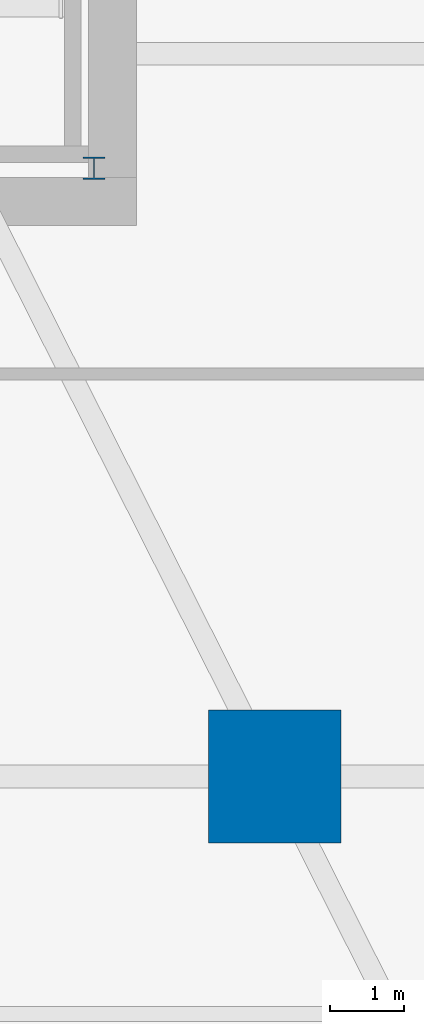
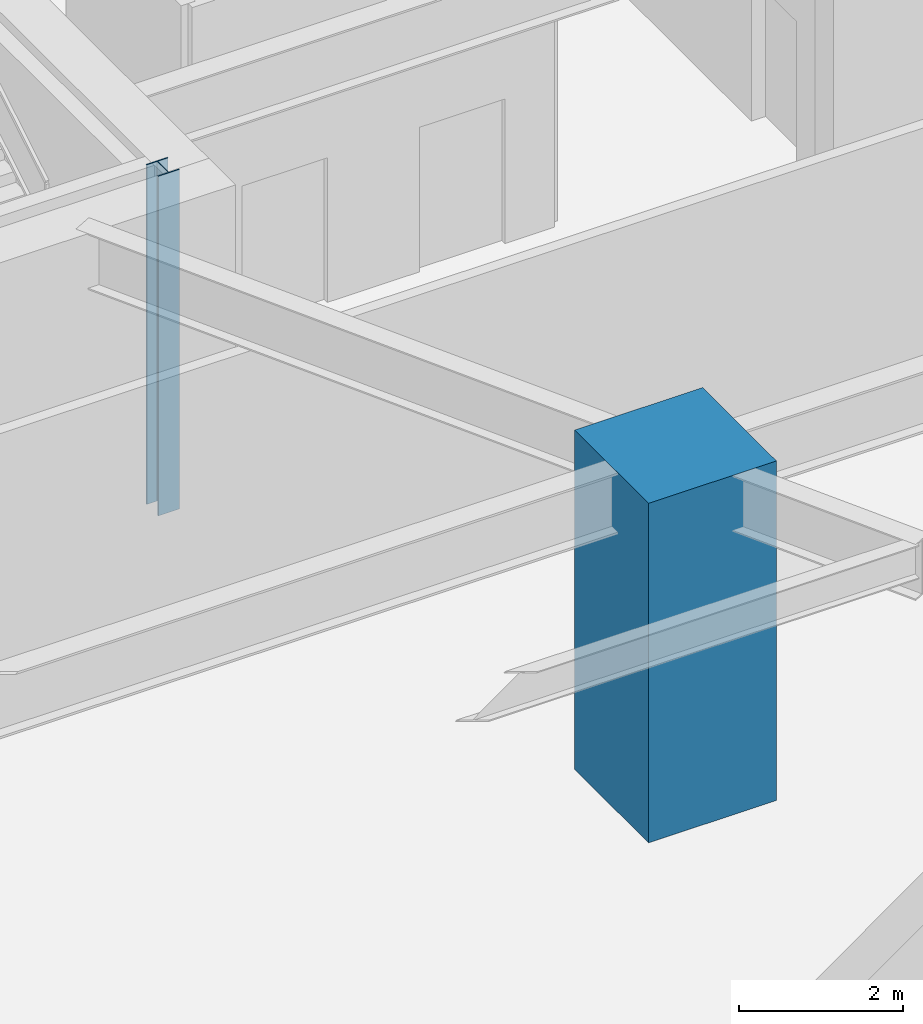
# One storey, part 2 of 11: 2 columns.
"""IFC4 building model written with IfcOpenShell, lengths in metres."""

from ifc_helpers import new_model, si_unit, direction, frame, origin, origin_2d, place, context, subcontext, project, spatial, rectangle, i_section, extrude, material, material_profile, profile_set, type_object, element, save


model = new_model("IFC4")

# Units and contexts
model_context = context("Model", 3, precision=1e-05, world=origin(), true_north=direction((0.0, 1.0)))
body_context = subcontext(model_context, "Body", "Model", "MODEL_VIEW")
ifc_project = project(units=[si_unit("LENGTHUNIT", "METRE"), si_unit("AREAUNIT", "SQUARE_METRE"), si_unit("VOLUMEUNIT", "CUBIC_METRE"), si_unit("PLANEANGLEUNIT", "RADIAN"), si_unit("MASSUNIT", "GRAM", prefix="KILO")], contexts=[model_context])

# Site, building, storey
site_placement = place(None, origin())
site = spatial("IfcSite", under=ifc_project, at=site_placement, CompositionType="ELEMENT")
building_placement = place(site_placement, origin())
building = spatial("IfcBuilding", under=site, at=building_placement, Name="Qarnah Convention Tower", CompositionType="ELEMENT")
storey_placement = place(building_placement, frame((0.0, 0.0, 5.39990234375)))
storey = spatial("IfcBuildingStorey", under=building, at=storey_placement, Name="L01", CompositionType="ELEMENT", Elevation=5.39990234375)

# Columns
ifc_material_1 = material(Name="Concrete C60/75", Category="concrete")
ifc_material_profile_1 = material_profile(ifc_material_1, rectangle(XDim=1.800048828125, YDim=1.800048828125, at=origin_2d()), Name="RC-COL-1800X1800")
ifc_profile_set_1 = profile_set([ifc_material_profile_1], Name="Concrete C60/75")
column_type_1 = type_object("IfcColumnType", Name="COL-MC1800", PredefinedType="COLUMN", material=ifc_profile_set_1)
column_1_placement = place(storey_placement, frame((49.800048828125, 10.800048828125, 0.0), z_axis=(0.0, 0.0, 1.0), x_axis=(1.0, 0.0, 0.0)))
element("IfcColumn", 1, at=column_1_placement, inside=storey, type_object=column_type_1, Name="L01 plumb column MC-03", PredefinedType="COLUMN", context=body_context, shape_type="SweptSolid", body=[
    extrude(rectangle(XDim=1.800048828125, YDim=1.800048828125, at=origin_2d()), origin(), (0.0, 0.0, 1.0), 5.050048828125),
])
ifc_material_2 = material(Name="Structural steel S355JR", Category="steel")
ifc_material_profile_2 = material_profile(ifc_material_2, i_section(OverallWidth=0.300048828125, OverallDepth=0.300048828125, WebThickness=0.010986328125, FlangeThickness=0.01904296875, at=origin_2d()), Name="HEB300")
ifc_profile_set_2 = profile_set([ifc_material_profile_2], Name="Structural steel S355JR")
column_type_2 = type_object("IfcColumnType", Name="PIL-SHF-300", PredefinedType="PILASTER", material=ifc_profile_set_2)
column_2_placement = place(storey_placement, frame((47.35009765625, 19.050048828125, 0.0), z_axis=(0.0, 0.0, 1.0), x_axis=(1.0, 0.0, 0.0)))
element("IfcColumn", 2, at=column_2_placement, inside=storey, type_object=column_type_2, Name="L01 core spine steel pilaster 2", PredefinedType="PILASTER", context=body_context, shape_type="SweptSolid", body=[
    extrude(i_section(OverallWidth=0.300048828125, OverallDepth=0.300048828125, WebThickness=0.010986328125, FlangeThickness=0.01904296875, at=origin_2d()), origin(), (0.0, 0.0, 1.0), 5.050048828125),
])

save(model, "model.ifc")
